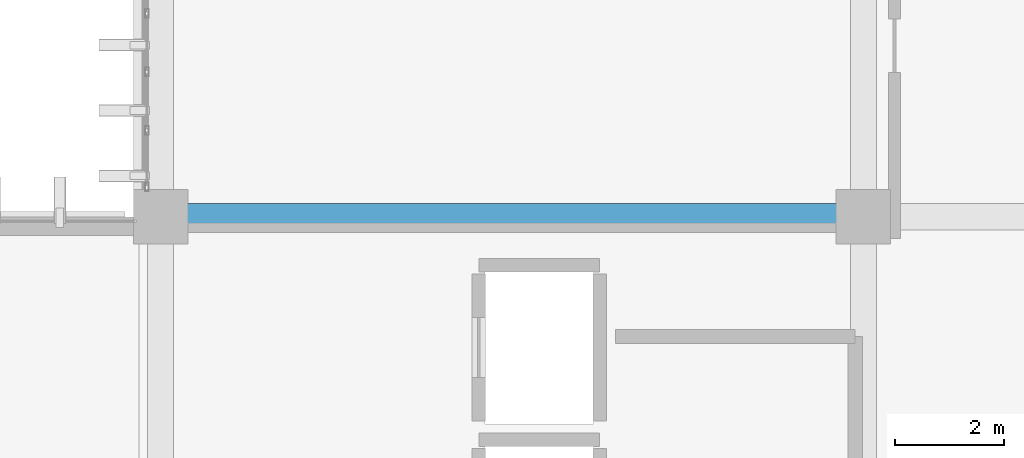
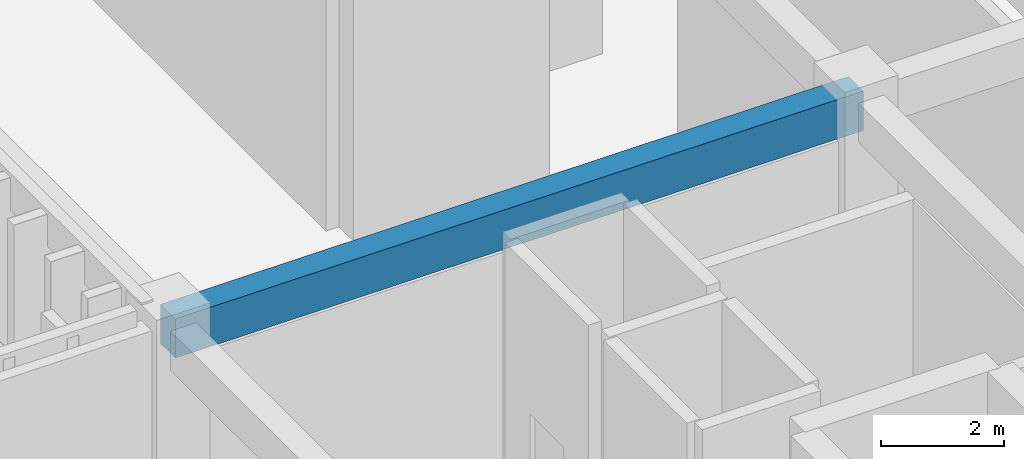
# One storey, part 79 of 134: 1 beam.
"""IFC4 building model written with IfcOpenShell, lengths in metres."""

from ifc_helpers import new_model, si_unit, direction, frame, origin, origin_2d, place, context, subcontext, project, spatial, rectangle, extrude, material, material_profile, profile_set, type_object, element, save


model = new_model("IFC4")

# Units and contexts
model_context = context("Model", 3, precision=1e-05, world=origin(), true_north=direction((0.0, 1.0)))
body_context = subcontext(model_context, "Body", "Model", "MODEL_VIEW")
ifc_project = project(units=[si_unit("LENGTHUNIT", "METRE"), si_unit("AREAUNIT", "SQUARE_METRE"), si_unit("VOLUMEUNIT", "CUBIC_METRE"), si_unit("PLANEANGLEUNIT", "RADIAN"), si_unit("MASSUNIT", "GRAM", prefix="KILO")], contexts=[model_context])

# Site, building, storey
site_placement = place(None, origin())
site = spatial("IfcSite", under=ifc_project, at=site_placement, CompositionType="ELEMENT")
building_placement = place(site_placement, origin())
building = spatial("IfcBuilding", under=site, at=building_placement, Name="Nakhvara Creek Congress Hotel", CompositionType="ELEMENT")
storey_placement = place(building_placement, frame((0.0, 0.0, 6.0)))
storey = spatial("IfcBuildingStorey", under=building, at=storey_placement, Name="L01", CompositionType="ELEMENT", Elevation=6.0)

# Beam
ifc_material = material(Name="Concrete C40/50", Category="concrete")
ifc_material_profile = material_profile(ifc_material, rectangle(XDim=0.47998046875, YDim=0.780029296875, at=origin_2d()), Name="RC-BM 480x780", Category="LoadBearing")
ifc_profile_set = profile_set([ifc_material_profile], Name="Concrete C40/50")
beam_type = type_object("IfcBeamType", Name="BM-RC-480X780", PredefinedType="BEAM", material=ifc_profile_set)
beam_placement = place(storey_placement, frame((149.449951171875, 96.0, 4.7099609375), z_axis=(1.0, 0.0, 0.0), x_axis=(0.0, 1.0, 0.0)))
element("IfcBeam", 1, at=beam_placement, inside=storey, type_object=beam_type, Name="Beam B13-L01-1292", PredefinedType="BEAM", context=body_context, shape_type="SweptSolid", body=[
    extrude(rectangle(XDim=0.47998046875, YDim=0.780029296875, at=origin_2d()), origin(), (0.0, 0.0, 1.0), 12.900146484375),
])

save(model, "model.ifc")
